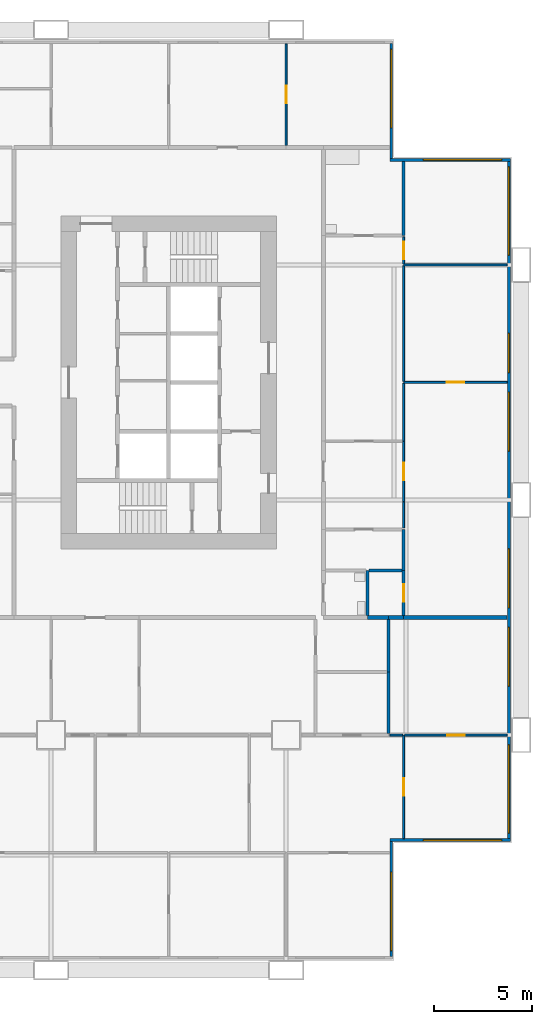
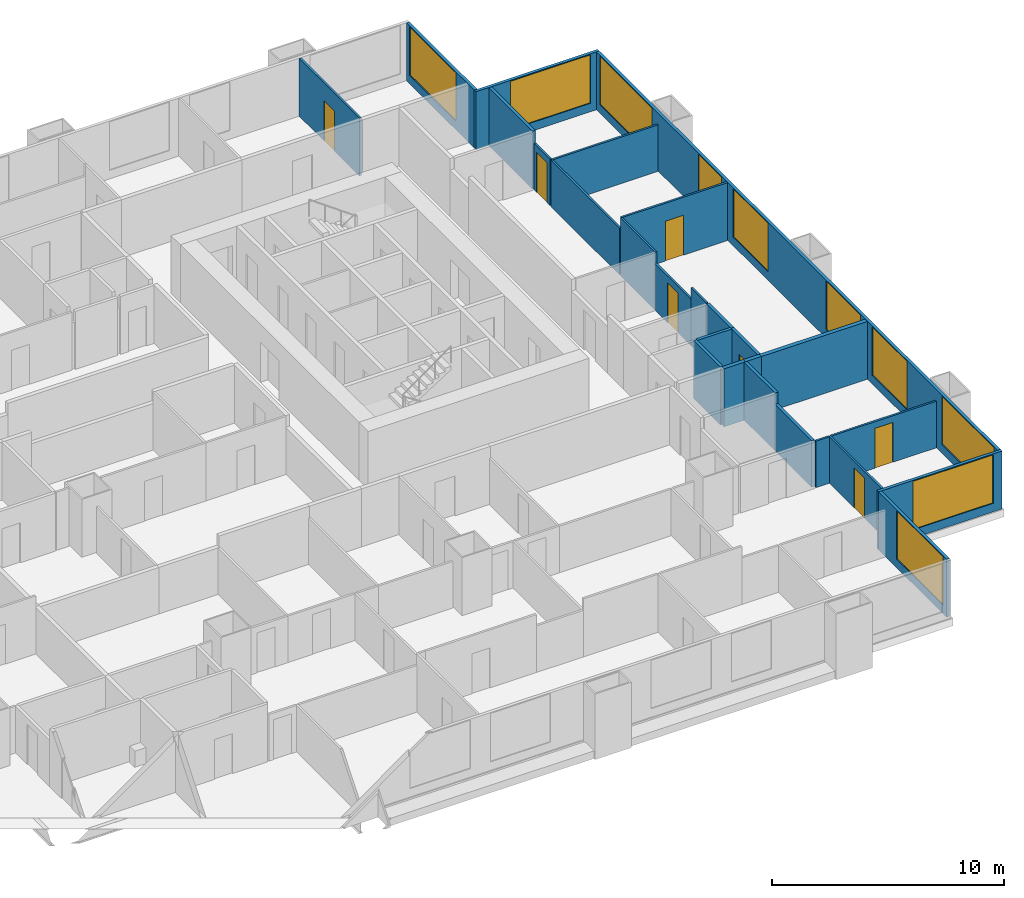
# One storey, part 10 of 13: 26 walls, 10 windows, 7 doors, 17 openings.
"""IFC4 building model written with IfcOpenShell, lengths in metres."""

from ifc_helpers import new_model, si_unit, direction, frame, frame_2d, origin, place, context, subcontext, project, spatial, rectangle, extrude, material, layer, layer_set, type_object, element, fill, save


model = new_model("IFC4")

# Units and contexts
model_context = context("Model", 3, precision=1e-05, world=origin(), true_north=direction((0.0, 1.0)))
body_context = subcontext(model_context, "Body", "Model", "MODEL_VIEW")
ifc_project = project(units=[si_unit("LENGTHUNIT", "METRE"), si_unit("AREAUNIT", "SQUARE_METRE"), si_unit("VOLUMEUNIT", "CUBIC_METRE"), si_unit("PLANEANGLEUNIT", "RADIAN"), si_unit("MASSUNIT", "GRAM", prefix="KILO")], contexts=[model_context])

# Site, building, storey
site_placement = place(None, origin())
site = spatial("IfcSite", under=ifc_project, at=site_placement, CompositionType="ELEMENT")
building_placement = place(site_placement, origin())
building = spatial("IfcBuilding", under=site, at=building_placement, Name="Kitamizu Gate Tower and Museum", CompositionType="ELEMENT")
storey_placement = place(building_placement, frame((0.0, 0.0, 47.25)))
storey = spatial("IfcBuildingStorey", under=building, at=storey_placement, Name="L10", CompositionType="ELEMENT", Elevation=47.25)

# Wall, opening, door
ifc_material_1 = material(Name="Gypsum board on galvanised stud")
ifc_layer_1 = layer(ifc_material_1, 0.10009765625)
ifc_layer_set_1 = layer_set([ifc_layer_1], Name="Gypsum board on galvanised stud")
wall_type_1 = type_object("IfcWallType", Name="Partition 100 NOT RATED", PredefinedType="PARTITIONING", material=ifc_layer_set_1)
wall_1_placement = place(storey_placement, frame((66.0, 6.719970703125, 0.0), z_axis=(0.0, 0.0, 1.0), x_axis=(0.0, 1.0, 0.0)))
wall_1 = element("IfcWall", 1, at=wall_1_placement, inside=storey, type_object=wall_type_1, Name="Partition L10-075", PredefinedType="PARTITIONING", context=body_context, shape_type="SweptSolid", body=[
    extrude(rectangle(XDim=5.280029296875, YDim=0.10009765625, at=frame_2d((2.64013671875, 0.0))), origin(), (0.0, 0.0, 1.0), 2.449951171875),
])
opening_1_placement = place(wall_1_placement, frame((2.18994140625, 0.0, 0.0)))
opening_1 = element("IfcOpeningElement", 2, at=opening_1_placement, cuts=wall_1, Name="Opening L10-025", PredefinedType="OPENING", context=body_context, shape_type="SweptSolid", body=[
    extrude(rectangle(XDim=0.89990234375, YDim=2.10009765625, at=frame_2d((0.449951171875, 1.050048828125))), frame((0.0, 0.06005859375, 0.0), z_axis=(0.0, -1.0, 0.0), x_axis=(1.0, 0.0, 0.0)), (0.0, 0.0, 1.0), 0.1201171875),
])
ifc_material_2 = material(Name="Timber door set", Category="wood")
door_type_1 = type_object("IfcDoorType", Name="Room door 900", OperationType="NOTDEFINED", PredefinedType="DOOR", material=ifc_material_2)
door_1_placement = place(opening_1_placement, origin())
door_1 = element("IfcDoor", 3, at=door_1_placement, inside=storey, type_object=door_type_1, Name="Door L10-025", OperationType="SINGLE_SWING_RIGHT", OverallHeight=2.10009765625, OverallWidth=0.89990234375, PredefinedType="DOOR", context=body_context, shape_type="SweptSolid", body=[
    extrude(rectangle(XDim=0.89990234375, YDim=2.10009765625, at=frame_2d((0.449951171875, 1.050048828125))), frame((0.0, 0.02490234375, 0.0), z_axis=(0.0, -1.0, 0.0), x_axis=(1.0, 0.0, 0.0)), (0.0, 0.0, 1.0), 0.050048828125),
])
fill(opening_1, door_1)

# Wall
wall_2_placement = place(storey_placement, frame((65.949951171875, 12.0, 0.0), z_axis=(0.0, 0.0, 1.0), x_axis=(-1.0, 0.0, 0.0)))
element("IfcWall", 4, at=wall_2_placement, inside=storey, type_object=wall_type_1, Name="Partition L10-078", PredefinedType="PARTITIONING", context=body_context, shape_type="SweptSolid", body=[
    extrude(rectangle(XDim=0.658935546875, YDim=0.10009765625, at=frame_2d((0.32958984375, 0.0))), origin(), (0.0, 0.0, 1.0), 2.449951171875),
])

# Wall, opening, door
wall_3_placement = place(storey_placement, frame((71.280029296875, 12.0, 0.0), z_axis=(0.0, 0.0, 1.0), x_axis=(-1.0, 0.0, 0.0)))
wall_3 = element("IfcWall", 5, at=wall_3_placement, inside=storey, type_object=wall_type_1, Name="Partition L10-080", PredefinedType="PARTITIONING", context=body_context, shape_type="SweptSolid", body=[
    extrude(rectangle(XDim=5.22998046875, YDim=0.10009765625, at=frame_2d((2.614990234375, 0.0))), origin(), (0.0, 0.0, 1.0), 2.449951171875),
])
opening_2_placement = place(wall_3_placement, frame((2.1650390625, 0.0, 0.0)))
opening_2 = element("IfcOpeningElement", 6, at=opening_2_placement, cuts=wall_3, Name="Opening L10-034", PredefinedType="OPENING", context=body_context, shape_type="SweptSolid", body=[
    extrude(rectangle(XDim=0.89990234375, YDim=2.10009765625, at=frame_2d((0.449951171875, 1.050048828125))), frame((0.0, 0.06005859375, 0.0), z_axis=(0.0, -1.0, 0.0), x_axis=(1.0, 0.0, 0.0)), (0.0, 0.0, 1.0), 0.1201171875),
])
door_2_placement = place(opening_2_placement, frame((0.89990234375, 0.0, 0.0), x_axis=(-1.0, 0.0, 0.0)))
door_2 = element("IfcDoor", 7, at=door_2_placement, inside=storey, type_object=door_type_1, Name="Door L10-034", OperationType="SINGLE_SWING_LEFT", OverallHeight=2.10009765625, OverallWidth=0.89990234375, PredefinedType="DOOR", context=body_context, shape_type="SweptSolid", body=[
    extrude(rectangle(XDim=0.89990234375, YDim=2.10009765625, at=frame_2d((0.449951171875, 1.050048828125))), frame((0.0, 0.02490234375, 0.0), z_axis=(0.0, -1.0, 0.0), x_axis=(1.0, 0.0, 0.0)), (0.0, 0.0, 1.0), 0.050048828125),
])
fill(opening_2, door_2)

wall_4_placement = place(storey_placement, frame((60.0, 42.10009765625, 0.0), z_axis=(0.0, 0.0, 1.0), x_axis=(0.0, 1.0, 0.0)))
wall_4 = element("IfcWall", 8, at=wall_4_placement, inside=storey, type_object=wall_type_1, Name="Partition L10-166", PredefinedType="PARTITIONING", context=body_context, shape_type="SweptSolid", body=[
    extrude(rectangle(XDim=5.179931640625, YDim=0.10009765625, at=frame_2d((2.58984375, 0.0))), origin(), (0.0, 0.0, 1.0), 3.050048828125),
])
opening_3_placement = place(wall_4_placement, frame((2.139892578125, 0.0, 0.0)))
opening_3 = element("IfcOpeningElement", 9, at=opening_3_placement, cuts=wall_4, Name="Opening L10-056", PredefinedType="OPENING", context=body_context, shape_type="SweptSolid", body=[
    extrude(rectangle(XDim=0.89990234375, YDim=2.10009765625, at=frame_2d((0.449951171875, 1.050048828125))), frame((0.0, 0.06005859375, 0.0), z_axis=(0.0, -1.0, 0.0), x_axis=(1.0, 0.0, 0.0)), (0.0, 0.0, 1.0), 0.1201171875),
])
door_3_placement = place(opening_3_placement, frame((0.89990234375, 0.0, 0.0), x_axis=(-1.0, 0.0, 0.0)))
door_3 = element("IfcDoor", 10, at=door_3_placement, inside=storey, type_object=door_type_1, Name="Door L10-056", OperationType="SINGLE_SWING_LEFT", OverallHeight=2.10009765625, OverallWidth=0.89990234375, PredefinedType="DOOR", context=body_context, shape_type="SweptSolid", body=[
    extrude(rectangle(XDim=0.89990234375, YDim=2.10009765625, at=frame_2d((0.449951171875, 1.050048828125))), frame((0.0, 0.02490234375, 0.0), z_axis=(0.0, -1.0, 0.0), x_axis=(1.0, 0.0, 0.0)), (0.0, 0.0, 1.0), 0.050048828125),
])
fill(opening_3, door_3)

wall_5_placement = place(storey_placement, frame((71.280029296875, 30.0, 0.0), z_axis=(0.0, 0.0, 1.0), x_axis=(-1.0, 0.0, 0.0)))
wall_5 = element("IfcWall", 11, at=wall_5_placement, inside=storey, type_object=wall_type_1, Name="Partition L10-191", PredefinedType="PARTITIONING", context=body_context, shape_type="SweptSolid", body=[
    extrude(rectangle(XDim=5.280029296875, YDim=0.10009765625, at=frame_2d((2.64013671875, 0.0))), origin(), (0.0, 0.0, 1.0), 3.050048828125),
])
opening_4_placement = place(wall_5_placement, frame((2.18994140625, 0.0, 0.0)))
opening_4 = element("IfcOpeningElement", 12, at=opening_4_placement, cuts=wall_5, Name="Opening L10-072", PredefinedType="OPENING", context=body_context, shape_type="SweptSolid", body=[
    extrude(rectangle(XDim=0.89990234375, YDim=2.10009765625, at=frame_2d((0.449951171875, 1.050048828125))), frame((0.0, 0.06005859375, 0.0), z_axis=(0.0, -1.0, 0.0), x_axis=(1.0, 0.0, 0.0)), (0.0, 0.0, 1.0), 0.1201171875),
])
door_4_placement = place(opening_4_placement, frame((0.89990234375, 0.0, 0.0), x_axis=(-1.0, 0.0, 0.0)))
door_4 = element("IfcDoor", 13, at=door_4_placement, inside=storey, type_object=door_type_1, Name="Door L10-072", OperationType="SINGLE_SWING_LEFT", OverallHeight=2.10009765625, OverallWidth=0.89990234375, PredefinedType="DOOR", context=body_context, shape_type="SweptSolid", body=[
    extrude(rectangle(XDim=0.89990234375, YDim=2.10009765625, at=frame_2d((0.449951171875, 1.050048828125))), frame((0.0, 0.02490234375, 0.0), z_axis=(0.0, -1.0, 0.0), x_axis=(1.0, 0.0, 0.0)), (0.0, 0.0, 1.0), 0.050048828125),
])
fill(opening_4, door_4)

wall_6_placement = place(storey_placement, frame((66.0, 27.0, 0.0), z_axis=(0.0, 0.0, 1.0), x_axis=(0.0, -1.0, 0.0)))
wall_6 = element("IfcWall", 14, at=wall_6_placement, inside=storey, type_object=wall_type_1, Name="Partition L10-194", PredefinedType="PARTITIONING", context=body_context, shape_type="SweptSolid", body=[
    extrude(rectangle(XDim=3.10009765625, YDim=0.10009765625, at=frame_2d((1.550048828125, 0.0))), origin(), (0.0, 0.0, 1.0), 2.449951171875),
])
opening_5_placement = place(wall_6_placement, frame((1.10009765625, 0.0, 0.0)))
opening_5 = element("IfcOpeningElement", 15, at=opening_5_placement, cuts=wall_6, Name="Opening L10-070", PredefinedType="OPENING", context=body_context, shape_type="SweptSolid", body=[
    extrude(rectangle(XDim=0.89990234375, YDim=2.10009765625, at=frame_2d((0.449951171875, 1.050048828125))), frame((0.0, 0.06005859375, 0.0), z_axis=(0.0, -1.0, 0.0), x_axis=(1.0, 0.0, 0.0)), (0.0, 0.0, 1.0), 0.1201171875),
])
door_5_placement = place(opening_5_placement, origin())
door_5 = element("IfcDoor", 16, at=door_5_placement, inside=storey, type_object=door_type_1, Name="Door L10-070", OperationType="SINGLE_SWING_RIGHT", OverallHeight=2.10009765625, OverallWidth=0.89990234375, PredefinedType="DOOR", context=body_context, shape_type="SweptSolid", body=[
    extrude(rectangle(XDim=0.89990234375, YDim=2.10009765625, at=frame_2d((0.449951171875, 1.050048828125))), frame((0.0, 0.02490234375, 0.0), z_axis=(0.0, -1.0, 0.0), x_axis=(1.0, 0.0, 0.0)), (0.0, 0.0, 1.0), 0.050048828125),
])
fill(opening_5, door_5)

# Walls
wall_7_placement = place(storey_placement, frame((66.0, 23.89990234375, 0.0), z_axis=(0.0, 0.0, 1.0), x_axis=(0.0, -1.0, 0.0)))
element("IfcWall", 17, at=wall_7_placement, inside=storey, type_object=wall_type_1, Name="Partition L10-195", PredefinedType="PARTITIONING", context=body_context, shape_type="SweptSolid", body=[
    extrude(rectangle(XDim=1.324951171875, YDim=0.10009765625, at=frame_2d((0.66259765625, 0.0))), origin(), (0.0, 0.0, 1.0), 3.050048828125),
])
wall_8_placement = place(storey_placement, frame((66.0, 29.949951171875, 0.0), z_axis=(0.0, 0.0, 1.0), x_axis=(0.0, -1.0, 0.0)))
element("IfcWall", 18, at=wall_8_placement, inside=storey, type_object=wall_type_1, Name="Partition L10-196", PredefinedType="PARTITIONING", context=body_context, shape_type="SweptSolid", body=[
    extrude(rectangle(XDim=2.949951171875, YDim=0.10009765625, at=frame_2d((1.47509765625, 0.0))), origin(), (0.0, 0.0, 1.0), 3.050048828125),
])
wall_9_placement = place(storey_placement, frame((71.280029296875, 36.0, 0.0), z_axis=(0.0, 0.0, 1.0), x_axis=(-1.0, 0.0, 0.0)))
element("IfcWall", 19, at=wall_9_placement, inside=storey, type_object=wall_type_1, Name="Partition L10-197", PredefinedType="PARTITIONING", context=body_context, shape_type="SweptSolid", body=[
    extrude(rectangle(XDim=5.280029296875, YDim=0.10009765625, at=frame_2d((2.64013671875, 0.0))), origin(), (0.0, 0.0, 1.0), 2.449951171875),
])
wall_10_placement = place(storey_placement, frame((66.0, 35.949951171875, 0.0), z_axis=(0.0, 0.0, 1.0), x_axis=(0.0, -1.0, 0.0)))
element("IfcWall", 20, at=wall_10_placement, inside=storey, type_object=wall_type_1, Name="Partition L10-198", PredefinedType="PARTITIONING", context=body_context, shape_type="SweptSolid", body=[
    extrude(rectangle(XDim=5.89990234375, YDim=0.10009765625, at=frame_2d((2.949951171875, 0.0))), origin(), (0.0, 0.0, 1.0), 2.449951171875),
])

# Wall, opening, door
wall_11_placement = place(storey_placement, frame((66.0, 37.425048828125, 0.0), z_axis=(0.0, 0.0, 1.0), x_axis=(0.0, -1.0, 0.0)))
wall_11 = element("IfcWall", 21, at=wall_11_placement, inside=storey, type_object=wall_type_1, Name="Partition L10-199", PredefinedType="PARTITIONING", context=body_context, shape_type="SweptSolid", body=[
    extrude(rectangle(XDim=1.375, YDim=0.10009765625, at=frame_2d((0.6875, 0.0))), origin(), (0.0, 0.0, 1.0), 2.449951171875),
])
opening_6_placement = place(wall_11_placement, frame((0.237548828125, 0.0, 0.0)))
opening_6 = element("IfcOpeningElement", 22, at=opening_6_placement, cuts=wall_11, Name="Opening L10-073", PredefinedType="OPENING", context=body_context, shape_type="SweptSolid", body=[
    extrude(rectangle(XDim=0.89990234375, YDim=2.10009765625, at=frame_2d((0.449951171875, 1.050048828125))), frame((0.0, 0.06005859375, 0.0), z_axis=(0.0, -1.0, 0.0), x_axis=(1.0, 0.0, 0.0)), (0.0, 0.0, 1.0), 0.1201171875),
])
door_6_placement = place(opening_6_placement, origin())
door_6 = element("IfcDoor", 23, at=door_6_placement, inside=storey, type_object=door_type_1, Name="Door L10-073", OperationType="SINGLE_SWING_LEFT", OverallHeight=2.10009765625, OverallWidth=0.89990234375, PredefinedType="DOOR", context=body_context, shape_type="SweptSolid", body=[
    extrude(rectangle(XDim=0.89990234375, YDim=2.10009765625, at=frame_2d((0.449951171875, 1.050048828125))), frame((0.0, 0.02490234375, 0.0), z_axis=(0.0, -1.0, 0.0), x_axis=(1.0, 0.0, 0.0)), (0.0, 0.0, 1.0), 0.050048828125),
])
fill(opening_6, door_6)

# Walls
ifc_material_3 = material(Name="Gypsum board on galvanised stud")
ifc_layer_2 = layer(ifc_material_3, 0.14990234375)
ifc_layer_set_2 = layer_set([ifc_layer_2], Name="Gypsum board on galvanised stud")
wall_type_2 = type_object("IfcWallType", Name="Partition 150", PredefinedType="PARTITIONING", material=ifc_layer_set_2)
wall_12_placement = place(storey_placement, frame((65.216064453125, 15.22900390625, 0.0), z_axis=(0.0, 0.0, 1.0), x_axis=(0.0, -1.0, 0.0)))
element("IfcWall", 24, at=wall_12_placement, inside=storey, type_object=wall_type_2, Name="Partition L10-094", PredefinedType="PARTITIONING", context=body_context, shape_type="SweptSolid", body=[
    extrude(rectangle(XDim=3.154052734375, YDim=0.14990234375, at=frame_2d((1.5771484375, 0.0))), origin(), (0.0, 0.0, 1.0), 2.449951171875),
])
wall_13_placement = place(storey_placement, frame((65.216064453125, 17.89990234375, 0.0), z_axis=(0.0, 0.0, 1.0), x_axis=(0.0, -1.0, 0.0)))
element("IfcWall", 25, at=wall_13_placement, inside=storey, type_object=wall_type_2, Name="Partition L10-095", PredefinedType="PARTITIONING", context=body_context, shape_type="SweptSolid", body=[
    extrude(rectangle(XDim=2.6708984375, YDim=0.14990234375, at=frame_2d((1.33544921875, 0.0))), origin(), (0.0, 0.0, 1.0), 3.050048828125),
])

# Wall, opening, door
wall_14_placement = place(storey_placement, frame((66.0, 20.39990234375, 0.0), z_axis=(0.0, 0.0, 1.0), x_axis=(0.0, -1.0, 0.0)))
wall_14 = element("IfcWall", 26, at=wall_14_placement, inside=storey, type_object=wall_type_2, Name="Partition L10-192", PredefinedType="PARTITIONING", context=body_context, shape_type="SweptSolid", body=[
    extrude(rectangle(XDim=2.2998046875, YDim=0.14990234375, at=frame_2d((1.14990234375, 0.0))), origin(), (0.0, 0.0, 1.0), 3.050048828125),
])
opening_7_placement = place(wall_14_placement, frame((0.699951171875, 0.0, 0.0)))
opening_7 = element("IfcOpeningElement", 27, at=opening_7_placement, cuts=wall_14, Name="Opening L10-074", PredefinedType="OPENING", context=body_context, shape_type="SweptSolid", body=[
    extrude(rectangle(XDim=0.89990234375, YDim=2.10009765625, at=frame_2d((0.449951171875, 1.050048828125))), frame((0.0, 0.0849609375, 0.0), z_axis=(0.0, -1.0, 0.0), x_axis=(1.0, 0.0, 0.0)), (0.0, 0.0, 1.0), 0.169921875),
])
ifc_material_4 = material(Name="Timber door set", Category="wood")
door_type_2 = type_object("IfcDoorType", Name="Bathroom door 900", OperationType="NOTDEFINED", PredefinedType="DOOR", material=ifc_material_4)
door_7_placement = place(opening_7_placement, frame((0.89990234375, 0.0, 0.0), x_axis=(-1.0, 0.0, 0.0)))
door_7 = element("IfcDoor", 28, at=door_7_placement, inside=storey, type_object=door_type_2, Name="Bathroom door L10-074", OperationType="SINGLE_SWING_RIGHT", OverallHeight=2.10009765625, OverallWidth=0.89990234375, PredefinedType="DOOR", context=body_context, shape_type="SweptSolid", body=[
    extrude(rectangle(XDim=0.89990234375, YDim=2.10009765625, at=frame_2d((0.449951171875, 1.050048828125))), frame((0.0, 0.02490234375, 0.0), z_axis=(0.0, -1.0, 0.0), x_axis=(1.0, 0.0, 0.0)), (0.0, 0.0, 1.0), 0.050048828125),
])
fill(opening_7, door_7)

# Walls
wall_15_placement = place(storey_placement, frame((66.0, 22.5, 0.0), z_axis=(0.0, 0.0, 1.0), x_axis=(0.0, -1.0, 0.0)))
element("IfcWall", 29, at=wall_15_placement, inside=storey, type_object=wall_type_2, Name="Partition L10-193", PredefinedType="PARTITIONING", context=body_context, shape_type="SweptSolid", body=[
    extrude(rectangle(XDim=2.10009765625, YDim=0.14990234375, at=frame_2d((1.050048828125, 0.0))), origin(), (0.0, 0.0, 1.0), 3.050048828125),
])
wall_16_placement = place(storey_placement, frame((66.0, 41.280029296875, 0.0), z_axis=(0.0, 0.0, 1.0), x_axis=(0.0, -1.0, 0.0)))
element("IfcWall", 30, at=wall_16_placement, inside=storey, type_object=wall_type_2, Name="Partition L10-200", PredefinedType="PARTITIONING", context=body_context, shape_type="SweptSolid", body=[
    extrude(rectangle(XDim=3.780029296875, YDim=0.14990234375, at=frame_2d((1.89013671875, 0.0))), origin(), (0.0, 0.0, 1.0), 3.050048828125),
])
wall_17_placement = place(storey_placement, frame((64.14990234375, 18.10009765625, 0.0), z_axis=(0.0, 0.0, 1.0), x_axis=(0.0, 1.0, 0.0)))
element("IfcWall", 31, at=wall_17_placement, inside=storey, type_object=wall_type_2, Name="Partition L10-201", PredefinedType="PARTITIONING", context=body_context, shape_type="SweptSolid", body=[
    extrude(rectangle(XDim=2.2998046875, YDim=0.14990234375, at=frame_2d((1.14990234375, 0.0))), origin(), (0.0, 0.0, 1.0), 3.050048828125),
])
wall_18_placement = place(storey_placement, frame((65.925048828125, 20.39990234375, 0.0), z_axis=(0.0, 0.0, 1.0), x_axis=(-1.0, 0.0, 0.0)))
element("IfcWall", 32, at=wall_18_placement, inside=storey, type_object=wall_type_2, Name="Partition L10-204", PredefinedType="PARTITIONING", context=body_context, shape_type="SweptSolid", body=[
    extrude(rectangle(XDim=1.699951171875, YDim=0.14990234375, at=frame_2d((0.85009765625, 0.0))), origin(), (0.0, 0.0, 1.0), 3.050048828125),
])
ifc_material_5 = material(Name="Gypsum board on galvanised stud")
ifc_layer_3 = layer(ifc_material_5, 0.199951171875)
ifc_layer_set_3 = layer_set([ifc_layer_3], Name="Gypsum board on galvanised stud")
wall_type_3 = type_object("IfcWallType", Name="Partition 200", PredefinedType="PARTITIONING", material=ifc_layer_set_3)
wall_19_placement = place(storey_placement, frame((71.280029296875, 18.0, 0.0), z_axis=(0.0, 0.0, 1.0), x_axis=(-1.0, 0.0, 0.0)))
element("IfcWall", 33, at=wall_19_placement, inside=storey, type_object=wall_type_3, Name="Partition L10-096", PredefinedType="PARTITIONING", context=body_context, shape_type="SweptSolid", body=[
    extrude(rectangle(XDim=5.280029296875, YDim=0.199951171875, at=frame_2d((2.64013671875, 0.0))), origin(), (0.0, 0.0, 1.0), 3.050048828125),
])
wall_20_placement = place(storey_placement, frame((66.0, 18.0, 0.0), z_axis=(0.0, 0.0, 1.0), x_axis=(-1.0, 0.0, 0.0)))
element("IfcWall", 34, at=wall_20_placement, inside=storey, type_object=wall_type_3, Name="Partition L10-097", PredefinedType="PARTITIONING", context=body_context, shape_type="SweptSolid", body=[
    extrude(rectangle(XDim=0.783935546875, YDim=0.199951171875, at=frame_2d((0.39208984375, 0.0))), origin(), (0.0, 0.0, 1.0), 3.050048828125),
])
wall_21_placement = place(storey_placement, frame((65.216064453125, 18.0, 0.0), z_axis=(0.0, 0.0, 1.0), x_axis=(-1.0, 0.0, 0.0)))
element("IfcWall", 35, at=wall_21_placement, inside=storey, type_object=wall_type_3, Name="Partition L10-100", PredefinedType="PARTITIONING", context=body_context, shape_type="SweptSolid", body=[
    extrude(rectangle(XDim=1.066162109375, YDim=0.199951171875, at=frame_2d((0.533203125, 0.0))), origin(), (0.0, 0.0, 1.0), 3.050048828125),
])

# Wall, opening, window
ifc_material_6 = material(Name="Bronze anodised aluminium frame with insulated spandrel and tinted glass", Category="aluminium")
ifc_layer_4 = layer(ifc_material_6, 0.14990234375)
ifc_layer_set_4 = layer_set([ifc_layer_4], Name="Bronze anodised aluminium frame with insulated spandrel and tinted glass")
wall_type_4 = type_object("IfcWallType", Name="WINDOW WALL 150 BRONZE FRAME EI 30", PredefinedType="ELEMENTEDWALL", material=ifc_layer_set_4)
wall_22_placement = place(storey_placement, frame((65.364990234375, 0.7099609375, 0.0), z_axis=(0.0, 0.0, 1.0), x_axis=(0.0, 1.0, 0.0)))
wall_22 = element("IfcWall", 36, at=wall_22_placement, inside=storey, type_object=wall_type_4, Name="Window wall east L10", PredefinedType="ELEMENTEDWALL", context=body_context, shape_type="SweptSolid", body=[
    extrude(rectangle(XDim=5.85009765625, YDim=0.14990234375, at=frame_2d((2.925048828125, 0.0))), origin(), (0.0, 0.0, 1.0), 3.050048828125),
])
opening_8_placement = place(wall_22_placement, frame((0.2900390625, 0.0, 0.449951171875)))
opening_8 = element("IfcOpeningElement", 37, at=opening_8_placement, cuts=wall_22, Name="Opening W16", PredefinedType="OPENING", context=body_context, shape_type="SweptSolid", body=[
    extrude(rectangle(XDim=4.0, YDim=2.550048828125, at=frame_2d((2.0, 1.27490234375))), frame((0.0, 0.0849609375, 0.0), z_axis=(0.0, -1.0, 0.0), x_axis=(1.0, 0.0, 0.0)), (0.0, 0.0, 1.0), 0.169921875),
])
ifc_material_7 = material(Name="Bronze anodised aluminium frame, tinted triple glazing", Category="aluminium")
window_type_1 = type_object("IfcWindowType", Name="WINDOW 4000 x 2550 SILL 450", PartitioningType="SINGLE_PANEL", PredefinedType="WINDOW", material=ifc_material_7)
window_1_placement = place(opening_8_placement, origin())
window_1 = element("IfcWindow", 38, at=window_1_placement, inside=storey, type_object=window_type_1, Name="Window W16 L10", OverallHeight=2.550048828125, OverallWidth=4.0, PartitioningType="SINGLE_PANEL", PredefinedType="WINDOW", context=body_context, shape_type="SweptSolid", body=[
    extrude(rectangle(XDim=4.0, YDim=2.550048828125, at=frame_2d((2.0, 1.27490234375))), frame((0.0, 0.030029296875, 0.0), z_axis=(0.0, -1.0, 0.0), x_axis=(1.0, 0.0, 0.0)), (0.0, 0.0, 1.0), 0.06005859375),
])
fill(opening_8, window_1)

wall_23_placement = place(storey_placement, frame((65.2900390625, 6.635009765625, 0.0), z_axis=(0.0, 0.0, 1.0), x_axis=(1.0, 0.0, 0.0)))
wall_23 = element("IfcWall", 39, at=wall_23_placement, inside=storey, type_object=wall_type_4, Name="Window wall south L10", PredefinedType="ELEMENTEDWALL", context=body_context, shape_type="SweptSolid", body=[
    extrude(rectangle(XDim=6.14990234375, YDim=0.14990234375, at=frame_2d((3.074951171875, 0.0))), origin(), (0.0, 0.0, 1.0), 3.050048828125),
])
opening_9_placement = place(wall_23_placement, frame((1.7099609375, 0.0, 0.449951171875)))
opening_9 = element("IfcOpeningElement", 40, at=opening_9_placement, cuts=wall_23, Name="Opening W16", PredefinedType="OPENING", context=body_context, shape_type="SweptSolid", body=[
    extrude(rectangle(XDim=4.0, YDim=2.550048828125, at=frame_2d((2.0, 1.27490234375))), frame((0.0, 0.0849609375, 0.0), z_axis=(0.0, -1.0, 0.0), x_axis=(1.0, 0.0, 0.0)), (0.0, 0.0, 1.0), 0.169921875),
])
window_2_placement = place(opening_9_placement, origin())
window_2 = element("IfcWindow", 41, at=window_2_placement, inside=storey, type_object=window_type_1, Name="Window W16 L10", OverallHeight=2.550048828125, OverallWidth=4.0, PartitioningType="SINGLE_PANEL", PredefinedType="WINDOW", context=body_context, shape_type="SweptSolid", body=[
    extrude(rectangle(XDim=4.0, YDim=2.550048828125, at=frame_2d((2.0, 1.27490234375))), frame((0.0, 0.030029296875, 0.0), z_axis=(0.0, -1.0, 0.0), x_axis=(1.0, 0.0, 0.0)), (0.0, 0.0, 1.0), 0.06005859375),
])
fill(opening_9, window_2)

# Wall, openings, windows
wall_24_placement = place(storey_placement, frame((71.364990234375, 6.7099609375, 0.0), z_axis=(0.0, 0.0, 1.0), x_axis=(0.0, 1.0, 0.0)))
wall_24 = element("IfcWall", 42, at=wall_24_placement, inside=storey, type_object=wall_type_4, Name="Window wall east L10", PredefinedType="ELEMENTEDWALL", context=body_context, shape_type="SweptSolid", body=[
    extrude(rectangle(XDim=34.580078125, YDim=0.14990234375, at=frame_2d((17.2900390625, 0.0))), origin(), (0.0, 0.0, 1.0), 3.050048828125),
])
opening_10_placement = place(wall_24_placement, frame((0.2900390625, 0.0, 0.449951171875)))
opening_10 = element("IfcOpeningElement", 43, at=opening_10_placement, cuts=wall_24, Name="Opening W15", PredefinedType="OPENING", context=body_context, shape_type="SweptSolid", body=[
    extrude(rectangle(XDim=4.5, YDim=2.550048828125, at=frame_2d((2.25, 1.27490234375))), frame((0.0, 0.0849609375, 0.0), z_axis=(0.0, -1.0, 0.0), x_axis=(1.0, 0.0, 0.0)), (0.0, 0.0, 1.0), 0.169921875),
])
opening_11_placement = place(wall_24_placement, frame((7.7900390625, 0.0, 0.449951171875)))
opening_11 = element("IfcOpeningElement", 44, at=opening_11_placement, cuts=wall_24, Name="Opening W33", PredefinedType="OPENING", context=body_context, shape_type="SweptSolid", body=[
    extrude(rectangle(XDim=3.0, YDim=2.550048828125, at=frame_2d((1.5, 1.27490234375))), frame((0.0, 0.0849609375, 0.0), z_axis=(0.0, -1.0, 0.0), x_axis=(1.0, 0.0, 0.0)), (0.0, 0.0, 1.0), 0.169921875),
])
opening_12_placement = place(wall_24_placement, frame((11.7900390625, 0.0, 0.449951171875)))
opening_12 = element("IfcOpeningElement", 45, at=opening_12_placement, cuts=wall_24, Name="Opening W33", PredefinedType="OPENING", context=body_context, shape_type="SweptSolid", body=[
    extrude(rectangle(XDim=3.0, YDim=2.550048828125, at=frame_2d((1.5, 1.27490234375))), frame((0.0, 0.0849609375, 0.0), z_axis=(0.0, -1.0, 0.0), x_axis=(1.0, 0.0, 0.0)), (0.0, 0.0, 1.0), 0.169921875),
])
opening_13_placement = place(wall_24_placement, frame((19.7900390625, 0.0, 0.449951171875)))
opening_13 = element("IfcOpeningElement", 46, at=opening_13_placement, cuts=wall_24, Name="Opening W33", PredefinedType="OPENING", context=body_context, shape_type="SweptSolid", body=[
    extrude(rectangle(XDim=3.0, YDim=2.550048828125, at=frame_2d((1.5, 1.27490234375))), frame((0.0, 0.0849609375, 0.0), z_axis=(0.0, -1.0, 0.0), x_axis=(1.0, 0.0, 0.0)), (0.0, 0.0, 1.0), 0.169921875),
])
opening_14_placement = place(wall_24_placement, frame((23.7900390625, 0.0, 0.449951171875)))
opening_14 = element("IfcOpeningElement", 47, at=opening_14_placement, cuts=wall_24, Name="Opening W2", PredefinedType="OPENING", context=body_context, shape_type="SweptSolid", body=[
    extrude(rectangle(XDim=2.0, YDim=2.550048828125, at=frame_2d((1.0, 1.27490234375))), frame((0.0, 0.0849609375, 0.0), z_axis=(0.0, -1.0, 0.0), x_axis=(1.0, 0.0, 0.0)), (0.0, 0.0, 1.0), 0.169921875),
])
opening_15_placement = place(wall_24_placement, frame((29.7900390625, 0.0, 0.449951171875)))
opening_15 = element("IfcOpeningElement", 48, at=opening_15_placement, cuts=wall_24, Name="Opening W15", PredefinedType="OPENING", context=body_context, shape_type="SweptSolid", body=[
    extrude(rectangle(XDim=4.5, YDim=2.550048828125, at=frame_2d((2.25, 1.27490234375))), frame((0.0, 0.0849609375, 0.0), z_axis=(0.0, -1.0, 0.0), x_axis=(1.0, 0.0, 0.0)), (0.0, 0.0, 1.0), 0.169921875),
])
ifc_material_8 = material(Name="Bronze anodised aluminium frame, tinted triple glazing", Category="aluminium")
window_type_2 = type_object("IfcWindowType", Name="WINDOW 2000 x 2550 SILL 450", PartitioningType="SINGLE_PANEL", PredefinedType="WINDOW", material=ifc_material_8)
window_3_placement = place(opening_14_placement, origin())
window_3 = element("IfcWindow", 49, at=window_3_placement, inside=storey, type_object=window_type_2, Name="Window W2 L10", OverallHeight=2.550048828125, OverallWidth=2.0, PartitioningType="SINGLE_PANEL", PredefinedType="WINDOW", context=body_context, shape_type="SweptSolid", body=[
    extrude(rectangle(XDim=2.0, YDim=2.550048828125, at=frame_2d((1.0, 1.27490234375))), frame((0.0, 0.030029296875, 0.0), z_axis=(0.0, -1.0, 0.0), x_axis=(1.0, 0.0, 0.0)), (0.0, 0.0, 1.0), 0.06005859375),
])
fill(opening_14, window_3)
ifc_material_9 = material(Name="Bronze anodised aluminium frame, tinted triple glazing", Category="aluminium")
window_type_3 = type_object("IfcWindowType", Name="WINDOW 3000 x 2550 SILL 450", PartitioningType="SINGLE_PANEL", PredefinedType="WINDOW", material=ifc_material_9)
window_4_placement = place(opening_11_placement, origin())
window_4 = element("IfcWindow", 50, at=window_4_placement, inside=storey, type_object=window_type_3, Name="Window W33 L10", OverallHeight=2.550048828125, OverallWidth=3.0, PartitioningType="SINGLE_PANEL", PredefinedType="WINDOW", context=body_context, shape_type="SweptSolid", body=[
    extrude(rectangle(XDim=3.0, YDim=2.550048828125, at=frame_2d((1.5, 1.27490234375))), frame((0.0, 0.030029296875, 0.0), z_axis=(0.0, -1.0, 0.0), x_axis=(1.0, 0.0, 0.0)), (0.0, 0.0, 1.0), 0.06005859375),
])
fill(opening_11, window_4)
window_5_placement = place(opening_12_placement, origin())
window_5 = element("IfcWindow", 51, at=window_5_placement, inside=storey, type_object=window_type_3, Name="Window W33 L10", OverallHeight=2.550048828125, OverallWidth=3.0, PartitioningType="SINGLE_PANEL", PredefinedType="WINDOW", context=body_context, shape_type="SweptSolid", body=[
    extrude(rectangle(XDim=3.0, YDim=2.550048828125, at=frame_2d((1.5, 1.27490234375))), frame((0.0, 0.030029296875, 0.0), z_axis=(0.0, -1.0, 0.0), x_axis=(1.0, 0.0, 0.0)), (0.0, 0.0, 1.0), 0.06005859375),
])
fill(opening_12, window_5)
window_6_placement = place(opening_13_placement, origin())
window_6 = element("IfcWindow", 52, at=window_6_placement, inside=storey, type_object=window_type_3, Name="Window W33 L10", OverallHeight=2.550048828125, OverallWidth=3.0, PartitioningType="SINGLE_PANEL", PredefinedType="WINDOW", context=body_context, shape_type="SweptSolid", body=[
    extrude(rectangle(XDim=3.0, YDim=2.550048828125, at=frame_2d((1.5, 1.27490234375))), frame((0.0, 0.030029296875, 0.0), z_axis=(0.0, -1.0, 0.0), x_axis=(1.0, 0.0, 0.0)), (0.0, 0.0, 1.0), 0.06005859375),
])
fill(opening_13, window_6)
ifc_material_10 = material(Name="Bronze anodised aluminium frame, tinted triple glazing", Category="aluminium")
window_type_4 = type_object("IfcWindowType", Name="WINDOW 4500 x 2550 SILL 450", PartitioningType="SINGLE_PANEL", PredefinedType="WINDOW", material=ifc_material_10)
window_7_placement = place(opening_10_placement, origin())
window_7 = element("IfcWindow", 53, at=window_7_placement, inside=storey, type_object=window_type_4, Name="Window W15 L10", OverallHeight=2.550048828125, OverallWidth=4.5, PartitioningType="SINGLE_PANEL", PredefinedType="WINDOW", context=body_context, shape_type="SweptSolid", body=[
    extrude(rectangle(XDim=4.5, YDim=2.550048828125, at=frame_2d((2.25, 1.27490234375))), frame((0.0, 0.030029296875, 0.0), z_axis=(0.0, -1.0, 0.0), x_axis=(1.0, 0.0, 0.0)), (0.0, 0.0, 1.0), 0.06005859375),
])
fill(opening_10, window_7)
window_8_placement = place(opening_15_placement, origin())
window_8 = element("IfcWindow", 54, at=window_8_placement, inside=storey, type_object=window_type_4, Name="Window W15 L10", OverallHeight=2.550048828125, OverallWidth=4.5, PartitioningType="SINGLE_PANEL", PredefinedType="WINDOW", context=body_context, shape_type="SweptSolid", body=[
    extrude(rectangle(XDim=4.5, YDim=2.550048828125, at=frame_2d((2.25, 1.27490234375))), frame((0.0, 0.030029296875, 0.0), z_axis=(0.0, -1.0, 0.0), x_axis=(1.0, 0.0, 0.0)), (0.0, 0.0, 1.0), 0.06005859375),
])
fill(opening_15, window_8)

# Wall, opening, window
wall_25_placement = place(storey_placement, frame((65.2900390625, 41.364990234375, 0.0), z_axis=(0.0, 0.0, 1.0), x_axis=(1.0, 0.0, 0.0)))
wall_25 = element("IfcWall", 55, at=wall_25_placement, inside=storey, type_object=wall_type_4, Name="Window wall north L10", PredefinedType="ELEMENTEDWALL", context=body_context, shape_type="SweptSolid", body=[
    extrude(rectangle(XDim=6.14990234375, YDim=0.14990234375, at=frame_2d((3.074951171875, 0.0))), origin(), (0.0, 0.0, 1.0), 3.050048828125),
])
opening_16_placement = place(wall_25_placement, frame((1.7099609375, 0.0, 0.449951171875)))
opening_16 = element("IfcOpeningElement", 56, at=opening_16_placement, cuts=wall_25, Name="Opening W16", PredefinedType="OPENING", context=body_context, shape_type="SweptSolid", body=[
    extrude(rectangle(XDim=4.0, YDim=2.550048828125, at=frame_2d((2.0, 1.27490234375))), frame((0.0, 0.0849609375, 0.0), z_axis=(0.0, -1.0, 0.0), x_axis=(1.0, 0.0, 0.0)), (0.0, 0.0, 1.0), 0.169921875),
])
window_9_placement = place(opening_16_placement, origin())
window_9 = element("IfcWindow", 57, at=window_9_placement, inside=storey, type_object=window_type_1, Name="Window W16 L10", OverallHeight=2.550048828125, OverallWidth=4.0, PartitioningType="SINGLE_PANEL", PredefinedType="WINDOW", context=body_context, shape_type="SweptSolid", body=[
    extrude(rectangle(XDim=4.0, YDim=2.550048828125, at=frame_2d((2.0, 1.27490234375))), frame((0.0, 0.030029296875, 0.0), z_axis=(0.0, -1.0, 0.0), x_axis=(1.0, 0.0, 0.0)), (0.0, 0.0, 1.0), 0.06005859375),
])
fill(opening_16, window_9)

wall_26_placement = place(storey_placement, frame((65.364990234375, 41.43994140625, 0.0), z_axis=(0.0, 0.0, 1.0), x_axis=(0.0, 1.0, 0.0)))
wall_26 = element("IfcWall", 58, at=wall_26_placement, inside=storey, type_object=wall_type_4, Name="Window wall east L10", PredefinedType="ELEMENTEDWALL", context=body_context, shape_type="SweptSolid", body=[
    extrude(rectangle(XDim=5.85009765625, YDim=0.14990234375, at=frame_2d((2.925048828125, 0.0))), origin(), (0.0, 0.0, 1.0), 3.050048828125),
])
opening_17_placement = place(wall_26_placement, frame((1.56005859375, 0.0, 0.449951171875)))
opening_17 = element("IfcOpeningElement", 59, at=opening_17_placement, cuts=wall_26, Name="Opening W16", PredefinedType="OPENING", context=body_context, shape_type="SweptSolid", body=[
    extrude(rectangle(XDim=4.0, YDim=2.550048828125, at=frame_2d((2.0, 1.27490234375))), frame((0.0, 0.0849609375, 0.0), z_axis=(0.0, -1.0, 0.0), x_axis=(1.0, 0.0, 0.0)), (0.0, 0.0, 1.0), 0.169921875),
])
window_10_placement = place(opening_17_placement, origin())
window_10 = element("IfcWindow", 60, at=window_10_placement, inside=storey, type_object=window_type_1, Name="Window W16 L10", OverallHeight=2.550048828125, OverallWidth=4.0, PartitioningType="SINGLE_PANEL", PredefinedType="WINDOW", context=body_context, shape_type="SweptSolid", body=[
    extrude(rectangle(XDim=4.0, YDim=2.550048828125, at=frame_2d((2.0, 1.27490234375))), frame((0.0, 0.030029296875, 0.0), z_axis=(0.0, -1.0, 0.0), x_axis=(1.0, 0.0, 0.0)), (0.0, 0.0, 1.0), 0.06005859375),
])
fill(opening_17, window_10)

save(model, "model.ifc")
